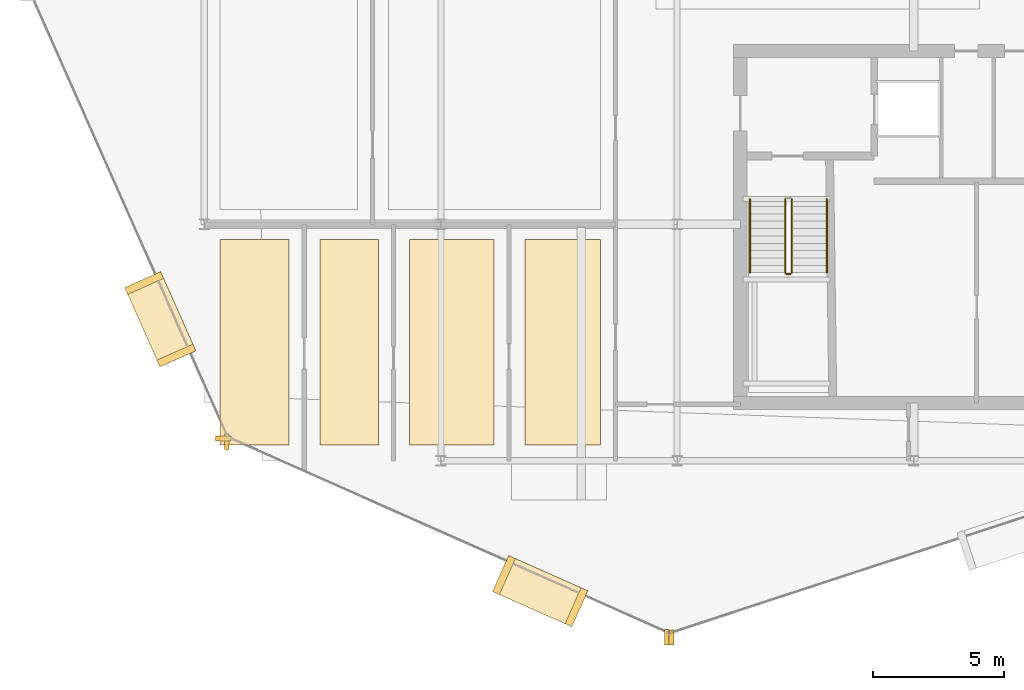
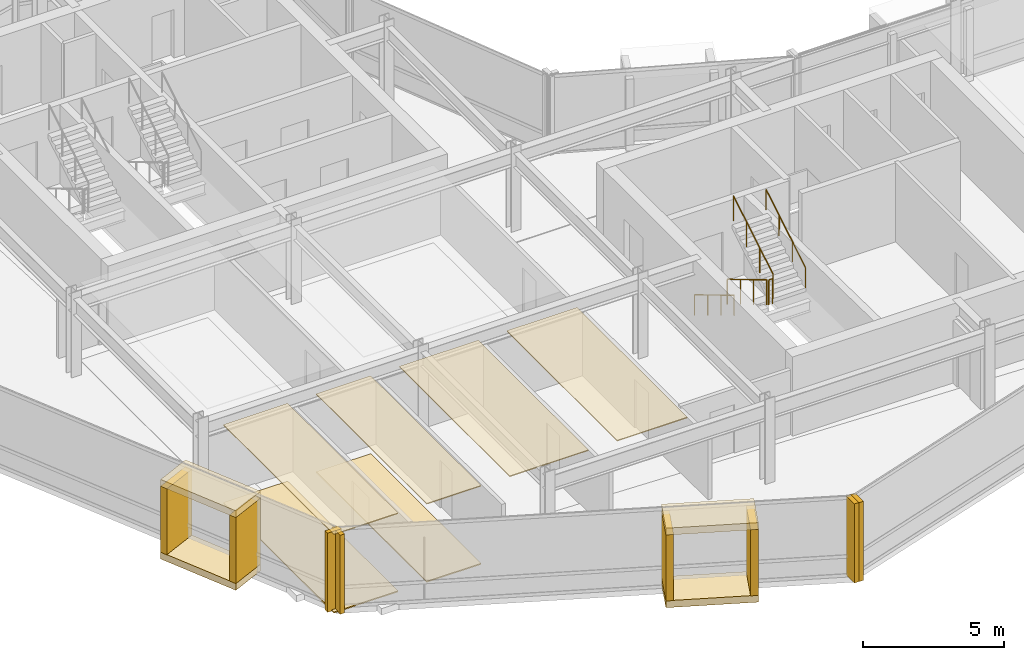
# One storey, part 22 of 27: 18 coverings, 5 railings.
"""IFC4 building model written with IfcOpenShell, lengths in metres."""

from ifc_helpers import new_model, si_unit, direction, frame, origin, origin_2d, place, context, subcontext, project, spatial, polyline, rectangle, circle, outline, extrude, material, layer, layer_set, type_object, element, save


model = new_model("IFC4")

# Units and contexts
model_context = context("Model", 3, precision=1e-05, world=origin(), true_north=direction((0.0, 1.0)))
body_context = subcontext(model_context, "Body", "Model", "MODEL_VIEW")
ifc_project = project(units=[si_unit("LENGTHUNIT", "METRE"), si_unit("AREAUNIT", "SQUARE_METRE"), si_unit("VOLUMEUNIT", "CUBIC_METRE"), si_unit("PLANEANGLEUNIT", "RADIAN"), si_unit("MASSUNIT", "GRAM", prefix="KILO")], contexts=[model_context])

# Site, building, storey
site_placement = place(None, origin())
site = spatial("IfcSite", under=ifc_project, at=site_placement, CompositionType="ELEMENT")
building_placement = place(site_placement, origin())
building = spatial("IfcBuilding", under=site, at=building_placement, Name="Solvaryn Broadcast Tower", CompositionType="ELEMENT")
storey_placement = place(building_placement, frame((0.0, 0.0, 221.0)))
storey = spatial("IfcBuildingStorey", under=building, at=storey_placement, Name="L55", CompositionType="ELEMENT", Elevation=221.0)

# Coverings
ifc_material_1 = material(Name="Micro-Perforated Acoustic Gypsum Ceiling", Category="concrete")
ifc_layer_1 = layer(ifc_material_1, 0.0400390625)
ifc_layer_set_1 = layer_set([ifc_layer_1], Name="CV-CEIL-ACOUSTIC")
covering_type_1 = type_object("IfcCoveringType", Name="CV-CEIL-ACOUSTIC", PredefinedType="CEILING", material=ifc_layer_set_1)
covering_1_placement = place(storey_placement, frame((0.0, 0.0, 3.3798828125)))
element("IfcCovering", 1, at=covering_1_placement, inside=storey, type_object=covering_type_1, Name="L55 Room Acoustic Ceiling 3", PredefinedType="CEILING", context=body_context, shape_type="SweptSolid", body=[
    extrude(outline(polyline([(9.60009765625, 9.60009765625), (12.22998046875, 9.60009765625), (12.22998046875, 17.429931640625), (9.60009765625, 17.429931640625), (9.60009765625, 9.60009765625)])), origin(), (0.0, 0.0, 1.0), 0.0400390625),
])
covering_2_placement = place(storey_placement, frame((0.0, 0.0, 3.3798828125)))
element("IfcCovering", 2, at=covering_2_placement, inside=storey, type_object=covering_type_1, Name="L55 Room Acoustic Ceiling 4", PredefinedType="CEILING", context=body_context, shape_type="SweptSolid", body=[
    extrude(outline(polyline([(13.39990234375, 9.60009765625), (15.6298828125, 9.60009765625), (15.6298828125, 17.429931640625), (13.39990234375, 17.429931640625), (13.39990234375, 9.60009765625)])), origin(), (0.0, 0.0, 1.0), 0.0400390625),
])
covering_3_placement = place(storey_placement, frame((0.0, 0.0, 3.3798828125)))
element("IfcCovering", 3, at=covering_3_placement, inside=storey, type_object=covering_type_1, Name="L55 Room Acoustic Ceiling 5", PredefinedType="CEILING", context=body_context, shape_type="SweptSolid", body=[
    extrude(outline(polyline([(16.800048828125, 9.60009765625), (20.030029296875, 9.60009765625), (20.030029296875, 17.429931640625), (16.800048828125, 17.429931640625), (16.800048828125, 9.60009765625)])), origin(), (0.0, 0.0, 1.0), 0.0400390625),
])
covering_4_placement = place(storey_placement, frame((0.0, 0.0, 3.3798828125)))
element("IfcCovering", 4, at=covering_4_placement, inside=storey, type_object=covering_type_1, Name="L55 Room Acoustic Ceiling 6", PredefinedType="CEILING", context=body_context, shape_type="SweptSolid", body=[
    extrude(outline(polyline([(21.199951171875, 9.60009765625), (24.080078125, 9.60009765625), (24.080078125, 17.429931640625), (21.199951171875, 17.429931640625), (21.199951171875, 9.60009765625)])), origin(), (0.0, 0.0, 1.0), 0.0400390625),
])
ifc_material_2 = material(Name="Newsroom Raised Data Access Flooring", Category="steel")
ifc_layer_2 = layer(ifc_material_2, 0.050048828125)
ifc_layer_set_2 = layer_set([ifc_layer_2], Name="CV-FLOOR-RAISED")
covering_type_2 = type_object("IfcCoveringType", Name="CV-FLOOR-RAISED", PredefinedType="FLOORING", material=ifc_layer_set_2)
covering_5_placement = place(storey_placement, origin())
element("IfcCovering", 5, at=covering_5_placement, inside=storey, type_object=covering_type_2, Name="L55 Room Acoustic Floor Finish 3", PredefinedType="FLOORING", context=body_context, shape_type="SweptSolid", body=[
    extrude(outline(polyline([(9.60009765625, 9.60009765625), (12.22998046875, 9.60009765625), (12.22998046875, 17.429931640625), (9.60009765625, 17.429931640625), (9.60009765625, 9.60009765625)])), origin(), (0.0, 0.0, 1.0), 0.050048828125),
])
covering_6_placement = place(storey_placement, origin())
element("IfcCovering", 6, at=covering_6_placement, inside=storey, type_object=covering_type_2, Name="L55 Room Acoustic Floor Finish 4", PredefinedType="FLOORING", context=body_context, shape_type="SweptSolid", body=[
    extrude(outline(polyline([(13.39990234375, 9.60009765625), (15.6298828125, 9.60009765625), (15.6298828125, 17.429931640625), (13.39990234375, 17.429931640625), (13.39990234375, 9.60009765625)])), origin(), (0.0, 0.0, 1.0), 0.050048828125),
])
ifc_material_3 = material(Name="Glazed Architectural Terracotta Rainscreen Cladding", Category="masonry")
ifc_layer_3 = layer(ifc_material_3, 0.280029296875)
ifc_layer_set_3 = layer_set([ifc_layer_3], Name="CV-TC-CLAD")
covering_type_3 = type_object("IfcCoveringType", Name="CV-TC-CLAD", PredefinedType="CLADDING", material=ifc_layer_set_3)
for number, where, z_axis, x_axis, name in (
    (7, (7.322998046875, 14.388916015625, 3.1298828125), (0.0, 0.0, 1.0), (0.405939269498, -0.913900054426, 0.0), "L55 Projecting Stone Window Box Hood 2"),
    (8, (7.322998046875, 14.388916015625, -0.01025390625), (0.0, 0.0, 1.0), (0.405939269498, -0.913900054426, 0.0), "L55 Projecting Stone Window Box Sill 2"),
):
    element("IfcCovering", number, at=place(storey_placement, frame(where, z_axis=z_axis, x_axis=x_axis)), inside=storey, type_object=covering_type_3, Name=name, PredefinedType="CLADDING", context=body_context, shape_type="SweptSolid", body=[
        extrude(rectangle(XDim=3.300048828125, YDim=1.5, at=origin_2d()), origin(), (0.0, 0.0, 1.0), 0.300048828125),
    ])
for number, where, z_axis, x_axis, name in (
    (9, (6.7099609375, 15.76904296875, 0.27978515625), (0.0, 0.0, 1.0), (0.405939269498, -0.913900054426, 0.0), "L55 Projecting Stone Window Box Cheek 2-1"),
    (10, (7.93603515625, 13.009033203125, 0.27978515625), (0.0, 0.0, 1.0), (0.405939269498, -0.913900054426, 0.0), "L55 Projecting Stone Window Box Cheek 2-2"),
):
    element("IfcCovering", number, at=place(storey_placement, frame(where, z_axis=z_axis, x_axis=x_axis)), inside=storey, type_object=covering_type_3, Name=name, PredefinedType="CLADDING", context=body_context, shape_type="SweptSolid", body=[
        extrude(rectangle(XDim=0.280029296875, YDim=1.5, at=origin_2d()), origin(), (0.0, 0.0, 1.0), 2.860107421875),
    ])
for number, where, z_axis, x_axis, name in (
    (11, (21.784912109375, 4.0390625, 3.1298828125), (0.0, 0.0, 1.0), (0.913900054426, -0.405939269498, 0.0), "L55 Projecting Stone Window Box Hood 3"),
    (12, (21.784912109375, 4.0390625, -0.01025390625), (0.0, 0.0, 1.0), (0.913900054426, -0.405939269498, 0.0), "L55 Projecting Stone Window Box Sill 3"),
):
    element("IfcCovering", number, at=place(storey_placement, frame(where, z_axis=z_axis, x_axis=x_axis)), inside=storey, type_object=covering_type_3, Name=name, PredefinedType="CLADDING", context=body_context, shape_type="SweptSolid", body=[
        extrude(rectangle(XDim=3.300048828125, YDim=1.5, at=origin_2d()), origin(), (0.0, 0.0, 1.0), 0.300048828125),
    ])
for number, where, z_axis, x_axis, name in (
    (13, (20.405029296875, 4.652099609375, 0.27978515625), (0.0, 0.0, 1.0), (0.913900054426, -0.405939269498, 0.0), "L55 Projecting Stone Window Box Cheek 3-1"),
    (14, (23.1650390625, 3.426025390625, 0.27978515625), (0.0, 0.0, 1.0), (0.913900054426, -0.405939269498, 0.0), "L55 Projecting Stone Window Box Cheek 3-2"),
):
    element("IfcCovering", number, at=place(storey_placement, frame(where, z_axis=z_axis, x_axis=x_axis)), inside=storey, type_object=covering_type_3, Name=name, PredefinedType="CLADDING", context=body_context, shape_type="SweptSolid", body=[
        extrude(rectangle(XDim=0.280029296875, YDim=1.5, at=origin_2d()), origin(), (0.0, 0.0, 1.0), 2.860107421875),
    ])
ifc_material_4 = material(Name="Extruded Architectural Terracotta Fin", Category="masonry")
ifc_layer_4 = layer(ifc_material_4, 0.179931640625)
ifc_layer_set_4 = layer_set([ifc_layer_4], Name="CV-TC-FIN")
covering_type_4 = type_object("IfcCoveringType", Name="CV-TC-FIN", PredefinedType="USERDEFINED", material=ifc_layer_set_4)
covering_7_placement = place(storey_placement, frame((9.7216796875, 9.852783203125, 0.0), z_axis=(0.0, 0.0, 1.0), x_axis=(1.0, 0.0, 0.0)))
element("IfcCovering", 15, at=covering_7_placement, inside=storey, type_object=covering_type_4, Name="L55 Terracotta Vertical Fin FIN-L55-DR2-M01", ObjectType="FIN", PredefinedType="USERDEFINED", context=body_context, shape_type="SweptSolid", body=[
    extrude(rectangle(XDim=0.580078125, YDim=0.179931640625, at=origin_2d()), origin(), (0.0, 0.0, 1.0), 3.419921875),
])
for number, where, z_axis, x_axis, name in (
    (16, (9.852783203125, 9.7216796875, 0.0), (0.0, 0.0, 1.0), (1.0, 0.0, 0.0), "L55 Terracotta Vertical Fin FIN-L55-DR3-M00"),
    (17, (26.605712890625, 2.281005859375, 0.0), (0.0, 0.0, 1.0), (1.0, 0.0, 0.0), "L55 Terracotta Vertical Fin FIN-L55-DR3-M01"),
    (18, (26.790771484375, 2.271240234375, 0.0), (0.0, 0.0, 1.0), (1.0, 0.0, 0.0), "L55 Terracotta Vertical Fin FIN-L55-DR4-M00"),
):
    element("IfcCovering", number, at=place(storey_placement, frame(where, z_axis=z_axis, x_axis=x_axis)), inside=storey, type_object=covering_type_4, Name=name, ObjectType="FIN", PredefinedType="USERDEFINED", context=body_context, shape_type="SweptSolid", body=[
        extrude(rectangle(XDim=0.179931640625, YDim=0.580078125, at=origin_2d()), origin(), (0.0, 0.0, 1.0), 3.419921875),
    ])

# Railings
ifc_material_5 = material(Name="Painted Steel Stair Well Guard", Category="steel")
railing_type_1 = type_object("IfcRailingType", Name="RL-STAIR-GUARD", PredefinedType="BALUSTRADE", material=ifc_material_5)
railing_1_placement = place(storey_placement, frame((31.110107421875, 18.9599609375, 0.168212890625)))
element("IfcRailing", 19, at=railing_1_placement, inside=storey, type_object=railing_type_1, Name="L55 ST3 stair guard 1", PredefinedType="BALUSTRADE", context=body_context, shape_type="SweptSolid", body=[
    extrude(circle(Radius=0.02392578125, at=origin_2d()), frame((0.0, 0.0, 1.076171875), z_axis=(0.0, -0.857242210791, 0.514913383045), x_axis=(1.0, 0.0, 0.0)), (0.0, 0.0, 1.0), 3.266357421875),
    extrude(circle(Radius=0.02099609375, at=origin_2d()), origin(), (0.0, 0.0, 1.0), 1.052001953125),
    extrude(circle(Radius=0.02099609375, at=origin_2d()), frame((0.0, -0.933349609375, 0.560546875)), (0.0, 0.0, 1.0), 1.052001953125),
    extrude(circle(Radius=0.02099609375, at=origin_2d()), frame((0.0, -1.86669921875, 1.121337890625)), (0.0, 0.0, 1.0), 1.052001953125),
    extrude(circle(Radius=0.02099609375, at=origin_2d()), frame((0.0, -2.800048828125, 1.681884765625)), (0.0, 0.0, 1.0), 1.052001953125),
])
railing_2_placement = place(storey_placement, frame((31.159912109375, 16.110107421875, 1.85009765625)))
element("IfcRailing", 20, at=railing_2_placement, inside=storey, type_object=railing_type_1, Name="L55 ST3 stair guard 2", PredefinedType="BALUSTRADE", context=body_context, shape_type="SweptSolid", body=[
    extrude(circle(Radius=0.02392578125, at=origin_2d()), frame((0.0, 0.0, 1.076171875), z_axis=(1.0, 0.0, 0.0), x_axis=(0.0, 1.0, 0.0)), (0.0, 0.0, 1.0), 0.150146484375),
    extrude(circle(Radius=0.02099609375, at=origin_2d()), origin(), (0.0, 0.0, 1.0), 1.052001953125),
    extrude(circle(Radius=0.02099609375, at=origin_2d()), frame((0.150146484375, 0.0, 0.0)), (0.0, 0.0, 1.0), 1.052001953125),
])
railing_3_placement = place(storey_placement, frame((31.360107421875, 16.159912109375, 2.01806640625)))
element("IfcRailing", 21, at=railing_3_placement, inside=storey, type_object=railing_type_1, Name="L55 ST3 stair guard 3", PredefinedType="BALUSTRADE", context=body_context, shape_type="SweptSolid", body=[
    extrude(circle(Radius=0.02392578125, at=origin_2d()), frame((0.0, 0.0, 1.076171875), z_axis=(0.0, 0.857242210791, 0.514913383045), x_axis=(-1.0, 0.0, 0.0)), (0.0, 0.0, 1.0), 3.266357421875),
    extrude(circle(Radius=0.02099609375, at=origin_2d()), origin(), (0.0, 0.0, 1.0), 1.052001953125),
    extrude(circle(Radius=0.02099609375, at=origin_2d()), frame((0.0, 0.933349609375, 0.560546875)), (0.0, 0.0, 1.0), 1.052001953125),
    extrude(circle(Radius=0.02099609375, at=origin_2d()), frame((0.0, 1.86669921875, 1.121337890625)), (0.0, 0.0, 1.0), 1.052001953125),
    extrude(circle(Radius=0.02099609375, at=origin_2d()), frame((0.0, 2.800048828125, 1.681884765625)), (0.0, 0.0, 1.0), 1.052001953125),
])
ifc_material_6 = material(Name="Brushed Stainless Steel Tubular Handrail", Category="steel")
railing_type_2 = type_object("IfcRailingType", Name="RL-STAIR-HANDRAIL", PredefinedType="HANDRAIL", material=ifc_material_6)
railing_4_placement = place(storey_placement, frame((29.77001953125, 18.9599609375, 0.168212890625)))
element("IfcRailing", 22, at=railing_4_placement, inside=storey, type_object=railing_type_2, Name="L55 ST3 stair handrail 1", PredefinedType="HANDRAIL", context=body_context, shape_type="SweptSolid", body=[
    extrude(circle(Radius=0.02392578125, at=origin_2d()), frame((0.0, 0.0, 0.8759765625), z_axis=(0.0, -0.857242210791, 0.514913383045), x_axis=(1.0, 0.0, 0.0)), (0.0, 0.0, 1.0), 3.266357421875),
    extrude(circle(Radius=0.02099609375, at=origin_2d()), origin(), (0.0, 0.0, 1.0), 0.851806640625),
    extrude(circle(Radius=0.02099609375, at=origin_2d()), frame((0.0, -0.933349609375, 0.560546875)), (0.0, 0.0, 1.0), 0.851806640625),
    extrude(circle(Radius=0.02099609375, at=origin_2d()), frame((0.0, -1.86669921875, 1.121337890625)), (0.0, 0.0, 1.0), 0.851806640625),
    extrude(circle(Radius=0.02099609375, at=origin_2d()), frame((0.0, -2.800048828125, 1.681884765625)), (0.0, 0.0, 1.0), 0.851806640625),
])
railing_5_placement = place(storey_placement, frame((32.699951171875, 16.159912109375, 2.01806640625)))
element("IfcRailing", 23, at=railing_5_placement, inside=storey, type_object=railing_type_2, Name="L55 ST3 stair handrail 2", PredefinedType="HANDRAIL", context=body_context, shape_type="SweptSolid", body=[
    extrude(circle(Radius=0.02392578125, at=origin_2d()), frame((0.0, 0.0, 0.8759765625), z_axis=(0.0, 0.857242210791, 0.514913383045), x_axis=(-1.0, 0.0, 0.0)), (0.0, 0.0, 1.0), 3.266357421875),
    extrude(circle(Radius=0.02099609375, at=origin_2d()), origin(), (0.0, 0.0, 1.0), 0.851806640625),
    extrude(circle(Radius=0.02099609375, at=origin_2d()), frame((0.0, 0.933349609375, 0.560546875)), (0.0, 0.0, 1.0), 0.851806640625),
    extrude(circle(Radius=0.02099609375, at=origin_2d()), frame((0.0, 1.86669921875, 1.121337890625)), (0.0, 0.0, 1.0), 0.851806640625),
    extrude(circle(Radius=0.02099609375, at=origin_2d()), frame((0.0, 2.800048828125, 1.681884765625)), (0.0, 0.0, 1.0), 0.851806640625),
])

save(model, "model.ifc")
